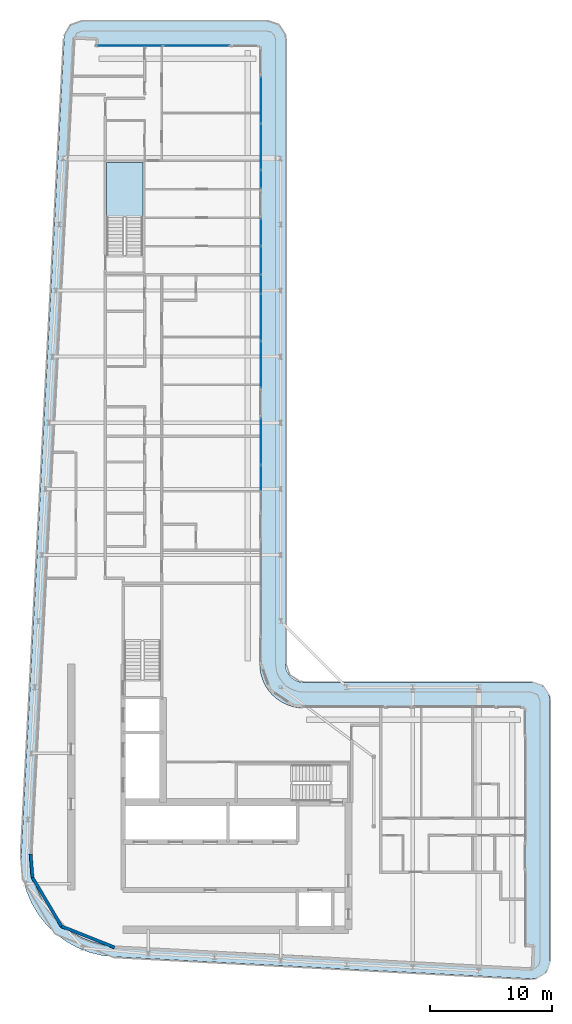
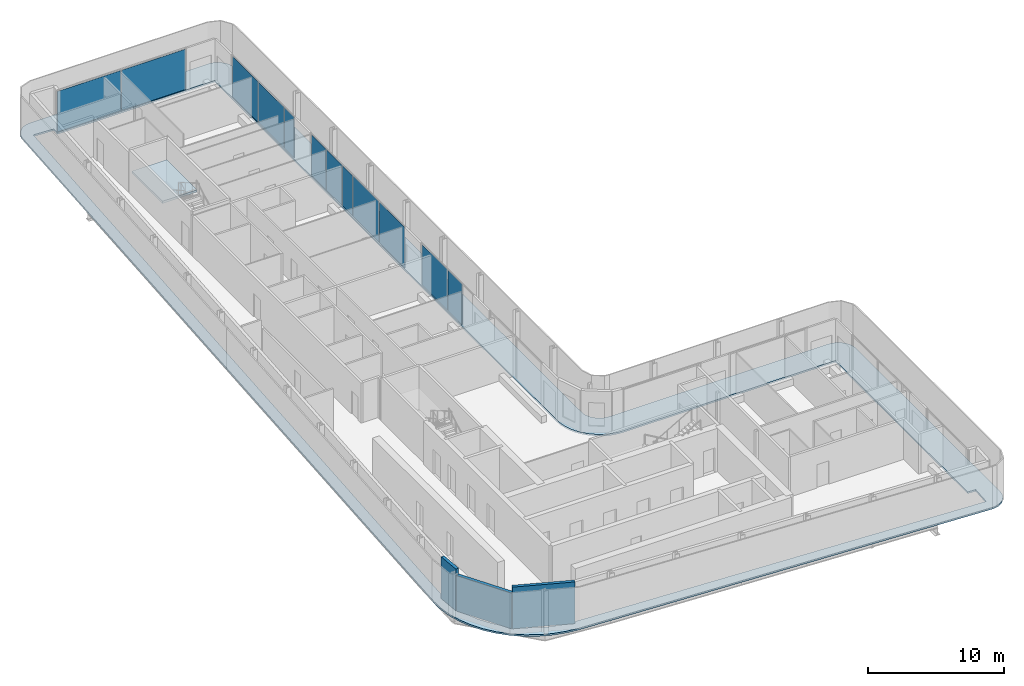
# One storey, part 10 of 21: 12 plates, 3 walls, 2 slabs, 7 elements without a shape of their own.
"""IFC4 building model written with IfcOpenShell, lengths in metres."""

from ifc_helpers import new_model, si_unit, direction, frame, frame_2d, origin, origin_2d, place, context, subcontext, project, spatial, polyline, rectangle, outline, extrude, material, layer, layer_set, type_object, element, aggregate, save


model = new_model("IFC4")

# Units and contexts
model_context = context("Model", 3, precision=1e-05, world=origin(), true_north=direction((0.0, 1.0)))
body_context = subcontext(model_context, "Body", "Model", "MODEL_VIEW")
ifc_project = project(units=[si_unit("LENGTHUNIT", "METRE"), si_unit("AREAUNIT", "SQUARE_METRE"), si_unit("VOLUMEUNIT", "CUBIC_METRE"), si_unit("PLANEANGLEUNIT", "RADIAN"), si_unit("MASSUNIT", "GRAM", prefix="KILO")], contexts=[model_context])

# Site, building, storey
site_placement = place(None, origin())
site = spatial("IfcSite", under=ifc_project, at=site_placement, CompositionType="ELEMENT")
building_placement = place(site_placement, origin())
building = spatial("IfcBuilding", under=site, at=building_placement, Name="Kheshtan School and Residences Tower", CompositionType="ELEMENT")
storey_placement = place(building_placement, frame((0.0, 0.0, 298.10009765625)))
storey = spatial("IfcBuildingStorey", under=building, at=storey_placement, Name="L70", CompositionType="ELEMENT", Elevation=298.10009765625)

# Curtain wall, plates
ifc_material_1 = material(Name="Clear low-e glass in thermally broken aluminium frame", Category="aluminium")
ifc_layer_1 = layer(ifc_material_1, 0.199951171875)
ifc_layer_set_1 = layer_set([ifc_layer_1], Name="Curtain wall CW-L")
curtain_wall_type = type_object("IfcCurtainWallType", Name="Curtain wall CW-L", PredefinedType="NOTDEFINED", material=ifc_layer_set_1)
curtain_wall_1_placement = place(storey_placement, origin())
curtain_wall_1 = element("IfcCurtainWall", 1, at=curtain_wall_1_placement, inside=storey, type_object=curtain_wall_type, Name="Curtain wall CWL7", PredefinedType="NOTDEFINED")
ifc_layer_2 = layer(ifc_material_1, 0.031982421875)
ifc_layer_set_2 = layer_set([ifc_layer_2], Name="CW-L glass panel")
plate_type = type_object("IfcPlateType", Name="CW-L glass panel", PredefinedType="CURTAIN_PANEL", material=ifc_layer_set_2)
plate_1_placement = place(storey_placement, frame((35.259033203125, 98.0, 0.0), z_axis=(0.0, 0.0, 1.0), x_axis=(1.0, 0.0, 0.0)))
plate_1 = element("IfcPlate", 2, at=plate_1_placement, type_object=plate_type, Name="CWL7 panel 1.1", PredefinedType="CURTAIN_PANEL", context=body_context, shape_type="SweptSolid", body=[
    extrude(rectangle(XDim=5.4140625, YDim=0.031982421875, at=origin_2d()), origin(), (0.0, 0.0, 1.0), 3.6298828125),
])
plate_2_placement = place(storey_placement, frame((40.73291015625, 98.0, 0.0), z_axis=(0.0, 0.0, 1.0), x_axis=(1.0, 0.0, 0.0)))
plate_2 = element("IfcPlate", 3, at=plate_2_placement, type_object=plate_type, Name="CWL7 panel 2.1", PredefinedType="CURTAIN_PANEL", context=body_context, shape_type="SweptSolid", body=[
    extrude(rectangle(XDim=5.4140625, YDim=0.031982421875, at=origin_2d()), origin(), (0.0, 0.0, 1.0), 3.6298828125),
])
aggregate(curtain_wall_1, [plate_1, plate_2])

curtain_wall_2_placement = place(storey_placement, origin())
curtain_wall_2 = element("IfcCurtainWall", 4, at=curtain_wall_2_placement, inside=storey, type_object=curtain_wall_type, Name="Curtain wall CWL8", PredefinedType="NOTDEFINED")
plate_3_placement = place(storey_placement, frame((46.0, 93.5615234375, 0.0), z_axis=(0.0, 0.0, 1.0), x_axis=(0.0, -1.0, 0.0)))
plate_3 = element("IfcPlate", 5, at=plate_3_placement, type_object=plate_type, Name="CWL8 panel 1.1", PredefinedType="CURTAIN_PANEL", context=body_context, shape_type="SweptSolid", body=[
    extrude(rectangle(XDim=3.757080078125, YDim=0.031982421875, at=origin_2d()), origin(), (0.0, 0.0, 1.0), 3.6298828125),
])
plate_4_placement = place(storey_placement, frame((46.0, 89.744384765625, 0.0), z_axis=(0.0, 0.0, 1.0), x_axis=(0.0, -1.0, 0.0)))
plate_4 = element("IfcPlate", 6, at=plate_4_placement, type_object=plate_type, Name="CWL8 panel 2.1", PredefinedType="CURTAIN_PANEL", context=body_context, shape_type="SweptSolid", body=[
    extrude(rectangle(XDim=3.757080078125, YDim=0.031982421875, at=origin_2d()), origin(), (0.0, 0.0, 1.0), 3.6298828125),
])
aggregate(curtain_wall_2, [plate_3, plate_4])

# Curtain wall, plate
curtain_wall_3_placement = place(storey_placement, origin())
curtain_wall_3 = element("IfcCurtainWall", 7, at=curtain_wall_3_placement, inside=storey, type_object=curtain_wall_type, Name="Curtain wall CWL8a", PredefinedType="NOTDEFINED")
plate_5_placement = place(storey_placement, frame((46.0, 87.0859375, 0.0), z_axis=(0.0, 0.0, 1.0), x_axis=(0.0, -1.0, 0.0)))
plate_5 = element("IfcPlate", 8, at=plate_5_placement, type_object=plate_type, Name="CWL8a panel 1.1", PredefinedType="CURTAIN_PANEL", context=body_context, shape_type="SweptSolid", body=[
    extrude(rectangle(XDim=1.43994140625, YDim=0.031982421875, at=origin_2d()), origin(), (0.0, 0.0, 1.0), 3.6298828125),
])
aggregate(curtain_wall_3, [plate_5])

# Curtain wall, plates
curtain_wall_4_placement = place(storey_placement, origin())
curtain_wall_4 = element("IfcCurtainWall", 9, at=curtain_wall_4_placement, inside=storey, type_object=curtain_wall_type, Name="Curtain wall CWL8b", PredefinedType="NOTDEFINED")
plate_6_placement = place(storey_placement, frame((46.0, 82.75048828125, 0.0), z_axis=(0.0, 0.0, 1.0), x_axis=(0.0, -1.0, 0.0)))
plate_6 = element("IfcPlate", 10, at=plate_6_placement, type_object=plate_type, Name="CWL8b panel 1.1", PredefinedType="CURTAIN_PANEL", context=body_context, shape_type="SweptSolid", body=[
    extrude(rectangle(XDim=2.19091796875, YDim=0.031982421875, at=origin_2d()), origin(), (0.0, 0.0, 1.0), 3.6298828125),
])
plate_7_placement = place(storey_placement, frame((46.0, 80.46240234375, 0.0), z_axis=(0.0, 0.0, 1.0), x_axis=(0.0, -1.0, 0.0)))
plate_7 = element("IfcPlate", 11, at=plate_7_placement, type_object=plate_type, Name="CWL8b panel 2.1", PredefinedType="CURTAIN_PANEL", context=body_context, shape_type="SweptSolid", body=[
    extrude(rectangle(XDim=2.264892578125, YDim=0.031982421875, at=origin_2d()), origin(), (0.0, 0.0, 1.0), 3.6298828125),
])
plate_8_placement = place(storey_placement, frame((46.0, 78.52099609375, 0.0), z_axis=(0.0, 0.0, 1.0), x_axis=(0.0, -1.0, 0.0)))
plate_8 = element("IfcPlate", 12, at=plate_8_placement, type_object=plate_type, Name="CWL8b panel 3.1", PredefinedType="CURTAIN_PANEL", context=body_context, shape_type="SweptSolid", body=[
    extrude(rectangle(XDim=1.498046875, YDim=0.031982421875, at=origin_2d()), origin(), (0.0, 0.0, 1.0), 3.6298828125),
])
aggregate(curtain_wall_4, [plate_6, plate_7, plate_8])

curtain_wall_5_placement = place(storey_placement, origin())
curtain_wall_5 = element("IfcCurtainWall", 13, at=curtain_wall_5_placement, inside=storey, type_object=curtain_wall_type, Name="Curtain wall CWL8", PredefinedType="NOTDEFINED")
plate_9_placement = place(storey_placement, frame((46.0, 75.803466796875, 0.0), z_axis=(0.0, 0.0, 1.0), x_axis=(0.0, -1.0, 0.0)))
plate_9 = element("IfcPlate", 14, at=plate_9_placement, type_object=plate_type, Name="CWL8 panel 1.1", PredefinedType="CURTAIN_PANEL", context=body_context, shape_type="SweptSolid", body=[
    extrude(rectangle(XDim=3.81689453125, YDim=0.031982421875, at=origin_2d()), origin(), (0.0, 0.0, 1.0), 3.6298828125),
])
plate_10_placement = place(storey_placement, frame((46.0, 71.95654296875, 0.0), z_axis=(0.0, 0.0, 1.0), x_axis=(0.0, -1.0, 0.0)))
plate_10 = element("IfcPlate", 15, at=plate_10_placement, type_object=plate_type, Name="CWL8 panel 2.1", PredefinedType="CURTAIN_PANEL", context=body_context, shape_type="SweptSolid", body=[
    extrude(rectangle(XDim=3.757080078125, YDim=0.031982421875, at=origin_2d()), origin(), (0.0, 0.0, 1.0), 3.6298828125),
])
aggregate(curtain_wall_5, [plate_9, plate_10])

curtain_wall_6_placement = place(storey_placement, origin())
curtain_wall_6 = element("IfcCurtainWall", 16, at=curtain_wall_6_placement, inside=storey, type_object=curtain_wall_type, Name="Curtain wall CWL8c", PredefinedType="NOTDEFINED")
plate_11_placement = place(storey_placement, frame((46.0, 65.679443359375, 0.0), z_axis=(0.0, 0.0, 1.0), x_axis=(0.0, -1.0, 0.0)))
plate_11 = element("IfcPlate", 17, at=plate_11_placement, type_object=plate_type, Name="CWL8c panel 1.1", PredefinedType="CURTAIN_PANEL", context=body_context, shape_type="SweptSolid", body=[
    extrude(rectangle(XDim=3.757080078125, YDim=0.031982421875, at=origin_2d()), origin(), (0.0, 0.0, 1.0), 3.6298828125),
])
plate_12_placement = place(storey_placement, frame((46.0, 62.685546875, 0.0), z_axis=(0.0, 0.0, 1.0), x_axis=(0.0, -1.0, 0.0)))
plate_12 = element("IfcPlate", 18, at=plate_12_placement, type_object=plate_type, Name="CWL8c panel 2.1", PredefinedType="CURTAIN_PANEL", context=body_context, shape_type="SweptSolid", body=[
    extrude(rectangle(XDim=2.111083984375, YDim=0.031982421875, at=origin_2d()), origin(), (0.0, 0.0, 1.0), 3.6298828125),
])
aggregate(curtain_wall_6, [plate_11, plate_12])

# Slab
ifc_material_2 = material(Name="Concrete C40/50", Category="concrete")
ifc_layer_3 = layer(ifc_material_2, 0.14990234375)
ifc_layer_set_3 = layer_set([ifc_layer_3], Name="Loggia balcony slab 150 Concrete C40/50")
slab_type_1 = type_object("IfcSlabType", Name="Loggia balcony slab 150 Concrete C40/50", PredefinedType="FLOOR", material=ifc_layer_set_3)
slab_1_placement = place(storey_placement, frame((0.0, 0.0, -0.150146484375)))
element("IfcSlab", 19, at=slab_1_placement, inside=storey, type_object=slab_type_1, Name="Loggia balcony slab L70", PredefinedType="FLOOR", context=body_context, shape_type="SweptSolid", body=[
    extrude(outline(polyline([(28.4580078125, 26.222900390625), (28.45703125, 26.222900390625), (28.45703125, 26.22412109375), (28.4560546875, 26.22412109375), (27.81494140625, 27.0390625), (27.281005859375, 27.93798828125), (26.867919921875, 28.89990234375), (26.583984375, 29.89990234375), (26.583984375, 29.906982421875), (26.43408203125, 30.943115234375), (26.419921875, 31.989013671875), (29.925048828125, 98.5791015625), (29.930908203125, 98.626953125), (29.930908203125, 98.6279296875), (29.929931640625, 98.6279296875), (29.929931640625, 98.62890625), (29.928955078125, 98.62890625), (29.928955078125, 98.6298828125), (29.927978515625, 98.6298828125), (29.927978515625, 98.631103515625), (29.927001953125, 98.631103515625), (29.927001953125, 98.632080078125), (29.927001953125, 98.633056640625), (29.945068359375, 98.781005859375), (29.945068359375, 98.783935546875), (29.945068359375, 98.784912109375), (29.946044921875, 98.784912109375), (29.946044921875, 98.785888671875), (29.947021484375, 98.785888671875), (29.947021484375, 98.787109375), (29.947998046875, 98.787109375), (29.948974609375, 98.787109375), (29.948974609375, 98.7880859375), (29.949951171875, 98.7880859375), (29.949951171875, 98.7890625), (29.949951171875, 98.791015625), (30.0029296875, 98.98388671875), (30.083984375, 99.175048828125), (30.18896484375, 99.35302734375), (30.31103515625, 99.507080078125), (30.31201171875, 99.507080078125), (30.31201171875, 99.508056640625), (30.31298828125, 99.508056640625), (30.31298828125, 99.509033203125), (30.31396484375, 99.509033203125), (30.31396484375, 99.510009765625), (30.31494140625, 99.510009765625), (30.31494140625, 99.510986328125), (30.31591796875, 99.510986328125), (30.31591796875, 99.511962890625), (30.31689453125, 99.511962890625), (30.31689453125, 99.512939453125), (30.318115234375, 99.512939453125), (30.320068359375, 99.512939453125), (30.321044921875, 99.512939453125), (30.321044921875, 99.513916015625), (30.468017578125, 99.656982421875), (30.468994140625, 99.656982421875), (30.468994140625, 99.657958984375), (30.469970703125, 99.657958984375), (30.469970703125, 99.658935546875), (30.470947265625, 99.658935546875), (30.470947265625, 99.659912109375), (30.471923828125, 99.659912109375), (30.471923828125, 99.660888671875), (30.472900390625, 99.660888671875), (30.472900390625, 99.662109375), (30.47412109375, 99.662109375), (30.47412109375, 99.6630859375), (30.47509765625, 99.6630859375), (30.47509765625, 99.6640625), (30.635986328125, 99.777099609375), (30.820068359375, 99.873046875), (31.007080078125, 99.943115234375), (31.013916015625, 99.943115234375), (31.217041015625, 99.986083984375), (31.423095703125, 100.0), (46.5, 100.0), (46.696044921875, 99.987060546875), (46.887939453125, 99.948974609375), (46.89501953125, 99.948974609375), (47.073974609375, 99.885986328125), (47.242919921875, 99.801025390625), (47.243896484375, 99.801025390625), (47.2470703125, 99.801025390625), (47.248046875, 99.801025390625), (47.248046875, 99.802001953125), (47.2490234375, 99.802001953125), (47.2490234375, 99.802978515625), (47.25, 99.802978515625), (47.2529296875, 99.802978515625), (47.25390625, 99.802978515625), (47.25390625, 99.802001953125), (47.2548828125, 99.802001953125), (47.2548828125, 99.801025390625), (47.256103515625, 99.801025390625), (47.256103515625, 99.800048828125), (47.257080078125, 99.800048828125), (47.257080078125, 99.799072265625), (47.258056640625, 99.799072265625), (47.258056640625, 99.798095703125), (47.412109375, 99.696044921875), (47.4130859375, 99.696044921875), (47.4130859375, 99.695068359375), (47.4140625, 99.695068359375), (47.4140625, 99.694091796875), (47.4140625, 99.68994140625), (47.4140625, 99.68896484375), (47.4150390625, 99.68896484375), (47.4150390625, 99.68798828125), (47.416015625, 99.68798828125), (47.416015625, 99.68701171875), (47.4169921875, 99.68701171875), (47.4169921875, 99.68603515625), (47.554931640625, 99.568115234375), (47.554931640625, 99.56689453125), (47.555908203125, 99.56689453125), (47.555908203125, 99.56591796875), (47.556884765625, 99.56591796875), (47.556884765625, 99.56494140625), (47.55810546875, 99.56494140625), (47.55810546875, 99.56396484375), (47.55908203125, 99.56396484375), (47.55908203125, 99.56298828125), (47.56005859375, 99.56298828125), (47.56005859375, 99.56201171875), (47.56103515625, 99.56201171875), (47.56201171875, 99.56103515625), (47.56201171875, 99.56005859375), (47.56298828125, 99.56005859375), (47.56298828125, 99.55908203125), (47.56396484375, 99.55908203125), (47.56396484375, 99.55810546875), (47.56494140625, 99.55810546875), (47.56494140625, 99.556884765625), (47.56591796875, 99.556884765625), (47.56591796875, 99.555908203125), (47.56689453125, 99.555908203125), (47.56689453125, 99.554931640625), (47.568115234375, 99.554931640625), (47.68505859375, 99.41796875), (47.68603515625, 99.41796875), (47.68603515625, 99.4169921875), (47.68701171875, 99.4169921875), (47.68701171875, 99.416015625), (47.68798828125, 99.416015625), (47.68798828125, 99.4150390625), (47.68896484375, 99.4150390625), (47.68896484375, 99.4140625), (47.68994140625, 99.4140625), (47.694091796875, 99.4140625), (47.695068359375, 99.4140625), (47.695068359375, 99.4130859375), (47.696044921875, 99.4130859375), (47.696044921875, 99.412109375), (47.797119140625, 99.259033203125), (47.798095703125, 99.259033203125), (47.798095703125, 99.258056640625), (47.799072265625, 99.258056640625), (47.799072265625, 99.257080078125), (47.800048828125, 99.257080078125), (47.800048828125, 99.256103515625), (47.801025390625, 99.256103515625), (47.801025390625, 99.2548828125), (47.802001953125, 99.2548828125), (47.802001953125, 99.25390625), (47.802978515625, 99.25390625), (47.802978515625, 99.2529296875), (47.802978515625, 99.25), (47.802978515625, 99.2490234375), (47.802001953125, 99.2490234375), (47.802001953125, 99.248046875), (47.801025390625, 99.248046875), (47.801025390625, 99.2470703125), (47.801025390625, 99.243896484375), (47.801025390625, 99.242919921875), (47.885986328125, 99.073974609375), (47.948974609375, 98.89501953125), (47.948974609375, 98.887939453125), (47.987060546875, 98.696044921875), (48.0, 98.5), (48.0, 47.5), (48.012939453125, 47.303955078125), (48.051025390625, 47.113037109375), (48.051025390625, 47.10693359375), (48.051025390625, 47.10595703125), (48.114013671875, 46.926025390625), (48.200927734375, 46.75), (48.31005859375, 46.5869140625), (48.431884765625, 46.444091796875), (48.43310546875, 46.444091796875), (48.43310546875, 46.443115234375), (48.43408203125, 46.443115234375), (48.43408203125, 46.44189453125), (48.43505859375, 46.44189453125), (48.43505859375, 46.44091796875), (48.43603515625, 46.44091796875), (48.43603515625, 46.43994140625), (48.43701171875, 46.43994140625), (48.43701171875, 46.43896484375), (48.43798828125, 46.43896484375), (48.43896484375, 46.43798828125), (48.43896484375, 46.43701171875), (48.43994140625, 46.43701171875), (48.43994140625, 46.43603515625), (48.44091796875, 46.43603515625), (48.44091796875, 46.43505859375), (48.44189453125, 46.43505859375), (48.44189453125, 46.43408203125), (48.443115234375, 46.43408203125), (48.443115234375, 46.43310546875), (48.444091796875, 46.43310546875), (48.444091796875, 46.431884765625), (48.5869140625, 46.31005859375), (48.75, 46.200927734375), (48.926025390625, 46.114013671875), (49.10595703125, 46.051025390625), (49.10693359375, 46.051025390625), (49.113037109375, 46.051025390625), (49.303955078125, 46.012939453125), (49.5, 46.0), (68.10009765625, 46.0), (68.2958984375, 45.987060546875), (68.488037109375, 45.948974609375), (68.4951171875, 45.948974609375), (68.674072265625, 45.885986328125), (68.842041015625, 45.801025390625), (68.843017578125, 45.801025390625), (68.846923828125, 45.801025390625), (68.847900390625, 45.801025390625), (68.847900390625, 45.802001953125), (68.84912109375, 45.802001953125), (68.84912109375, 45.802978515625), (68.85009765625, 45.802978515625), (68.85302734375, 45.802978515625), (68.85400390625, 45.802978515625), (68.85400390625, 45.802001953125), (68.85498046875, 45.802001953125), (68.85498046875, 45.801025390625), (68.85595703125, 45.801025390625), (68.85595703125, 45.800048828125), (68.85693359375, 45.800048828125), (68.85693359375, 45.799072265625), (68.85791015625, 45.799072265625), (68.85791015625, 45.798095703125), (68.85888671875, 45.798095703125), (68.85888671875, 45.797119140625), (68.860107421875, 45.797119140625), (68.860107421875, 45.7958984375), (69.011962890625, 45.696044921875), (69.012939453125, 45.696044921875), (69.012939453125, 45.695068359375), (69.013916015625, 45.695068359375), (69.013916015625, 45.694091796875), (69.013916015625, 45.68994140625), (69.013916015625, 45.68896484375), (69.014892578125, 45.68896484375), (69.014892578125, 45.68798828125), (69.01611328125, 45.68798828125), (69.01611328125, 45.68701171875), (69.01708984375, 45.68701171875), (69.01708984375, 45.68603515625), (69.01806640625, 45.68603515625), (69.01806640625, 45.68505859375), (69.01904296875, 45.68505859375), (69.01904296875, 45.68408203125), (69.155029296875, 45.568115234375), (69.155029296875, 45.56689453125), (69.156005859375, 45.56689453125), (69.156005859375, 45.56591796875), (69.156982421875, 45.56591796875), (69.156982421875, 45.56494140625), (69.157958984375, 45.56494140625), (69.157958984375, 45.56396484375), (69.158935546875, 45.56396484375), (69.158935546875, 45.56298828125), (69.159912109375, 45.56298828125), (69.159912109375, 45.56201171875), (69.160888671875, 45.56201171875), (69.162109375, 45.56103515625), (69.162109375, 45.56005859375), (69.1630859375, 45.56005859375), (69.1630859375, 45.55908203125), (69.1640625, 45.55908203125), (69.1640625, 45.55810546875), (69.1650390625, 45.55810546875), (69.1650390625, 45.556884765625), (69.166015625, 45.556884765625), (69.166015625, 45.555908203125), (69.1669921875, 45.555908203125), (69.1669921875, 45.554931640625), (69.16796875, 45.554931640625), (69.281982421875, 45.4208984375), (69.282958984375, 45.4208984375), (69.282958984375, 45.419921875), (69.283935546875, 45.419921875), (69.283935546875, 45.4189453125), (69.284912109375, 45.4189453125), (69.284912109375, 45.41796875), (69.285888671875, 45.41796875), (69.285888671875, 45.4169921875), (69.287109375, 45.4169921875), (69.287109375, 45.416015625), (69.2880859375, 45.416015625), (69.2880859375, 45.4150390625), (69.2890625, 45.4150390625), (69.2890625, 45.4140625), (69.2900390625, 45.4140625), (69.2939453125, 45.4140625), (69.294921875, 45.4140625), (69.294921875, 45.4130859375), (69.2958984375, 45.4130859375), (69.2958984375, 45.412109375), (69.39404296875, 45.261962890625), (69.39501953125, 45.261962890625), (69.39501953125, 45.260986328125), (69.39599609375, 45.260986328125), (69.39599609375, 45.260009765625), (69.39697265625, 45.260009765625), (69.39697265625, 45.259033203125), (69.39794921875, 45.259033203125), (69.39794921875, 45.258056640625), (69.39892578125, 45.258056640625), (69.39892578125, 45.257080078125), (69.39990234375, 45.257080078125), (69.39990234375, 45.256103515625), (69.40087890625, 45.256103515625), (69.40087890625, 45.2548828125), (69.402099609375, 45.2548828125), (69.402099609375, 45.25390625), (69.403076171875, 45.25390625), (69.403076171875, 45.2529296875), (69.403076171875, 45.25), (69.403076171875, 45.2490234375), (69.402099609375, 45.2490234375), (69.402099609375, 45.248046875), (69.40087890625, 45.248046875), (69.40087890625, 45.2470703125), (69.40087890625, 45.240966796875), (69.40087890625, 45.239990234375), (69.486083984375, 45.073974609375), (69.549072265625, 44.89501953125), (69.549072265625, 44.887939453125), (69.5869140625, 44.696044921875), (69.60009765625, 44.5), (69.60009765625, 23.285888671875), (69.5859375, 23.083984375), (69.544921875, 22.885009765625), (69.544921875, 22.8779296875), (69.47802734375, 22.694091796875), (69.385986328125, 22.513916015625), (69.27099609375, 22.347900390625), (69.27099609375, 22.346923828125), (69.27099609375, 22.345947265625), (69.27099609375, 22.344970703125), (69.27197265625, 22.344970703125), (69.27197265625, 22.343994140625), (69.27197265625, 22.342041015625), (69.27197265625, 22.341064453125), (69.27099609375, 22.341064453125), (69.27099609375, 22.340087890625), (69.137939453125, 22.197021484375), (69.135009765625, 22.194091796875), (69.134033203125, 22.194091796875), (69.134033203125, 22.193115234375), (69.133056640625, 22.193115234375), (69.131103515625, 22.193115234375), (69.1298828125, 22.193115234375), (69.1298828125, 22.194091796875), (69.12890625, 22.194091796875), (69.1279296875, 22.194091796875), (69.126953125, 22.194091796875), (68.97607421875, 22.069091796875), (68.803955078125, 21.9619140625), (68.618896484375, 21.87890625), (68.430908203125, 21.822021484375), (68.424072265625, 21.822021484375), (68.22412109375, 21.791015625), (68.02099609375, 21.7880859375), (33.989013671875, 23.580078125), (33.94189453125, 23.5859375), (33.94091796875, 23.5859375), (33.93994140625, 23.5859375), (33.93994140625, 23.5849609375), (33.93896484375, 23.5849609375), (33.93896484375, 23.583984375), (33.93798828125, 23.583984375), (33.93798828125, 23.5830078125), (33.93701171875, 23.5830078125), (33.93701171875, 23.58203125), (33.93603515625, 23.58203125), (33.93505859375, 23.58203125), (32.952880859375, 23.697998046875), (32.949951171875, 23.697998046875), (32.948974609375, 23.697998046875), (32.948974609375, 23.698974609375), (32.947998046875, 23.698974609375), (32.947998046875, 23.699951171875), (32.947021484375, 23.699951171875), (32.947021484375, 23.700927734375), (32.947021484375, 23.702880859375), (32.947021484375, 23.7041015625), (32.946044921875, 23.7041015625), (32.946044921875, 23.705078125), (32.945068359375, 23.705078125), (32.944091796875, 23.705078125), (31.93603515625, 23.9609375), (31.928955078125, 23.9609375), (30.964111328125, 24.34912109375), (30.051025390625, 24.860107421875), (29.218994140625, 25.47900390625), (29.218994140625, 25.47998046875), (29.218017578125, 25.47998046875), (29.218017578125, 25.48095703125), (29.217041015625, 25.48095703125), (29.217041015625, 25.48193359375), (29.216064453125, 25.48193359375), (29.216064453125, 25.48291015625), (29.215087890625, 25.48291015625), (29.215087890625, 25.48388671875), (29.214111328125, 25.48388671875), (29.214111328125, 25.485107421875), (29.212890625, 25.485107421875), (29.212890625, 25.486083984375), (29.2119140625, 25.486083984375), (28.466064453125, 26.217041015625), (28.466064453125, 26.218017578125), (28.465087890625, 26.218017578125), (28.462890625, 26.218017578125), (28.4619140625, 26.218017578125), (28.4619140625, 26.218994140625), (28.4609375, 26.218994140625), (28.4609375, 26.219970703125), (28.4599609375, 26.219970703125), (28.4599609375, 26.220947265625), (28.458984375, 26.220947265625), (28.458984375, 26.221923828125), (28.4580078125, 26.221923828125), (28.4580078125, 26.222900390625)]), holes=[polyline([(29.12890625, 26.824951171875), (29.12890625, 26.823974609375), (29.1298828125, 26.823974609375), (29.1298828125, 26.822998046875), (29.131103515625, 26.822998046875), (29.131103515625, 26.822021484375), (29.132080078125, 26.822021484375), (29.132080078125, 26.821044921875), (29.133056640625, 26.821044921875), (29.133056640625, 26.820068359375), (29.134033203125, 26.820068359375), (29.794921875, 26.173095703125), (29.794921875, 26.172119140625), (29.7958984375, 26.172119140625), (29.798095703125, 26.172119140625), (29.799072265625, 26.172119140625), (29.799072265625, 26.1708984375), (29.800048828125, 26.1708984375), (29.800048828125, 26.169921875), (29.801025390625, 26.169921875), (29.801025390625, 26.1689453125), (29.802001953125, 26.1689453125), (29.802001953125, 26.16796875), (29.802978515625, 26.16796875), (29.802978515625, 26.1669921875), (29.803955078125, 26.1669921875), (29.803955078125, 26.166015625), (30.541015625, 25.616943359375), (31.35205078125, 25.1630859375), (32.208984375, 24.819091796875), (32.2099609375, 24.819091796875), (32.216064453125, 24.819091796875), (33.114990234375, 24.590087890625), (34.06591796875, 24.47705078125), (68.0380859375, 22.68798828125), (68.06494140625, 22.68896484375), (68.06591796875, 22.68896484375), (68.06689453125, 22.68896484375), (68.06689453125, 22.68994140625), (68.068115234375, 22.68994140625), (68.068115234375, 22.69091796875), (68.068115234375, 22.69189453125), (68.157958984375, 24.381103515625), (68.157958984375, 24.382080078125), (68.157958984375, 24.383056640625), (68.156982421875, 24.383056640625), (68.156982421875, 24.384033203125), (68.156005859375, 24.384033203125), (68.155029296875, 24.384033203125), (67.5009765625, 24.4189453125), (67.5, 24.4189453125), (67.5, 24.419921875), (67.5, 43.89794921875), (67.5, 43.89892578125), (67.4990234375, 43.89892578125), (67.4990234375, 43.89990234375), (67.498046875, 43.89990234375), (49.429931640625, 43.89990234375), (49.030029296875, 43.927001953125), (48.569091796875, 44.01806640625), (48.56201171875, 44.01806640625), (48.1201171875, 44.169921875), (47.697021484375, 44.37890625), (47.30810546875, 44.638916015625), (46.95703125, 44.944091796875), (46.95703125, 44.945068359375), (46.9560546875, 44.945068359375), (46.9560546875, 44.946044921875), (46.955078125, 44.946044921875), (46.955078125, 44.947021484375), (46.9541015625, 44.947021484375), (46.9541015625, 44.947998046875), (46.952880859375, 44.947998046875), (46.952880859375, 44.948974609375), (46.951904296875, 44.948974609375), (46.951904296875, 44.949951171875), (46.951904296875, 44.950927734375), (46.950927734375, 44.950927734375), (46.950927734375, 44.951904296875), (46.949951171875, 44.951904296875), (46.948974609375, 44.951904296875), (46.948974609375, 44.952880859375), (46.947998046875, 44.952880859375), (46.947998046875, 44.9541015625), (46.947021484375, 44.9541015625), (46.947021484375, 44.955078125), (46.946044921875, 44.955078125), (46.946044921875, 44.9560546875), (46.945068359375, 44.9560546875), (46.945068359375, 44.95703125), (46.944091796875, 44.95703125), (46.638916015625, 45.30810546875), (46.37890625, 45.697021484375), (46.169921875, 46.1201171875), (46.01806640625, 46.56201171875), (46.01806640625, 46.569091796875), (45.927001953125, 47.030029296875), (45.89990234375, 47.429931640625), (45.89990234375, 97.89794921875), (45.89990234375, 97.89892578125), (45.89892578125, 97.89892578125), (45.89892578125, 97.89990234375), (45.89794921875, 97.89990234375), (32.492919921875, 97.89990234375), (32.491943359375, 97.89990234375), (32.52099609375, 98.43896484375), (32.52099609375, 98.43994140625), (32.52099609375, 98.44091796875), (32.52001953125, 98.44091796875), (32.52001953125, 98.44189453125), (32.51904296875, 98.44189453125), (32.51806640625, 98.44189453125), (30.8291015625, 98.531982421875), (30.827880859375, 98.531982421875), (30.826904296875, 98.531982421875), (30.826904296875, 98.531005859375), (30.825927734375, 98.531005859375), (30.825927734375, 98.530029296875), (30.825927734375, 98.529052734375), (30.822021484375, 98.5009765625), (27.320068359375, 31.970947265625), (27.3330078125, 31.013916015625), (27.466064453125, 30.093994140625), (27.466064453125, 30.087890625), (27.466064453125, 30.0869140625), (27.718017578125, 29.200927734375), (28.0849609375, 28.345947265625), (28.55908203125, 27.550048828125), (29.126953125, 26.825927734375), (29.1279296875, 26.825927734375), (29.1279296875, 26.824951171875), (29.12890625, 26.824951171875)])]), origin(), (0.0, 0.0, 1.0), 0.150146484375),
])

# Stair, slab
stair_type = type_object("IfcStairType", Name="Exit stair, half-turn", PredefinedType="HALF_TURN_STAIR", material=ifc_material_2)
stair_placement = place(storey_placement, origin())
stair = element("IfcStair", 20, at=stair_placement, inside=storey, type_object=stair_type, Name="L70 Protected Exit Stair ST3", PredefinedType="HALF_TURN_STAIR")
ifc_layer_4 = layer(ifc_material_2, 0.199951171875)
ifc_layer_set_4 = layer_set([ifc_layer_4], Name="Stair landing 200 Concrete C40/50")
slab_type_2 = type_object("IfcSlabType", Name="Stair landing 200 Concrete C40/50", PredefinedType="LANDING", material=ifc_layer_set_4)
slab_2_placement = place(storey_placement, frame((0.0, 0.0, 1.75)))
slab_2 = element("IfcSlab", 21, at=slab_2_placement, type_object=slab_type_2, Name="ST3 landing 1", PredefinedType="LANDING", context=body_context, shape_type="SweptSolid", body=[
    extrude(outline(polyline([(36.35009765625, 83.97998046875), (36.35009765625, 88.4599609375), (33.39990234375, 88.4599609375), (33.39990234375, 83.97998046875), (36.35009765625, 83.97998046875)])), origin(), (0.0, 0.0, 1.0), 0.199951171875),
])
aggregate(stair, [slab_2])

# Walls
ifc_material_3 = material(Name="Concrete C40/50 with ceramic cladding and mineral wool insulation", Category="concrete")
ifc_layer_5 = layer(ifc_material_3, 0.25)
ifc_layer_set_5 = layer_set([ifc_layer_5], Name="External wall 250 ceramic clad")
wall_type = type_object("IfcWallType", Name="External wall 250 ceramic clad", PredefinedType="SOLIDWALL", material=ifc_layer_set_5)
wall_1_placement = place(storey_placement, frame((34.0390625, 24.35302734375, 0.0), z_axis=(0.0, 0.0, 1.0), x_axis=(-0.929352825399, 0.369192803184, 0.0)))
element("IfcWall", 22, at=wall_1_placement, inside=storey, type_object=wall_type, Name="External wall L70 1", PredefinedType="SOLIDWALL", context=body_context, shape_type="SweptSolid", body=[
    extrude(rectangle(XDim=4.656005859375, YDim=0.25, at=frame_2d((2.328125, 0.0))), origin(), (0.0, 0.0, 1.0), 3.75),
])
wall_2_placement = place(storey_placement, frame((29.7119140625, 26.072021484375, 0.0), z_axis=(0.0, 0.0, 1.0), x_axis=(-0.511028049012, 0.859564036662, 0.0)))
element("IfcWall", 23, at=wall_2_placement, inside=storey, type_object=wall_type, Name="External wall L70 2", PredefinedType="SOLIDWALL", context=body_context, shape_type="SweptSolid", body=[
    extrude(rectangle(XDim=4.633544921875, YDim=0.25, at=frame_2d((2.31689453125, 0.0))), origin(), (0.0, 0.0, 1.0), 3.216796875),
])
wall_3_placement = place(storey_placement, frame((27.343994140625, 30.054931640625, 0.0), z_axis=(0.0, 0.0, 1.0), x_axis=(-0.077571675317, 0.99698677784, 0.0)))
element("IfcWall", 24, at=wall_3_placement, inside=storey, type_object=wall_type, Name="External wall L70 3", PredefinedType="SOLIDWALL", context=body_context, shape_type="SweptSolid", body=[
    extrude(rectangle(XDim=1.919921875, YDim=0.25, at=frame_2d((0.9599609375, 0.0))), origin(), (0.0, 0.0, 1.0), 3.75),
])

save(model, "model.ifc")
